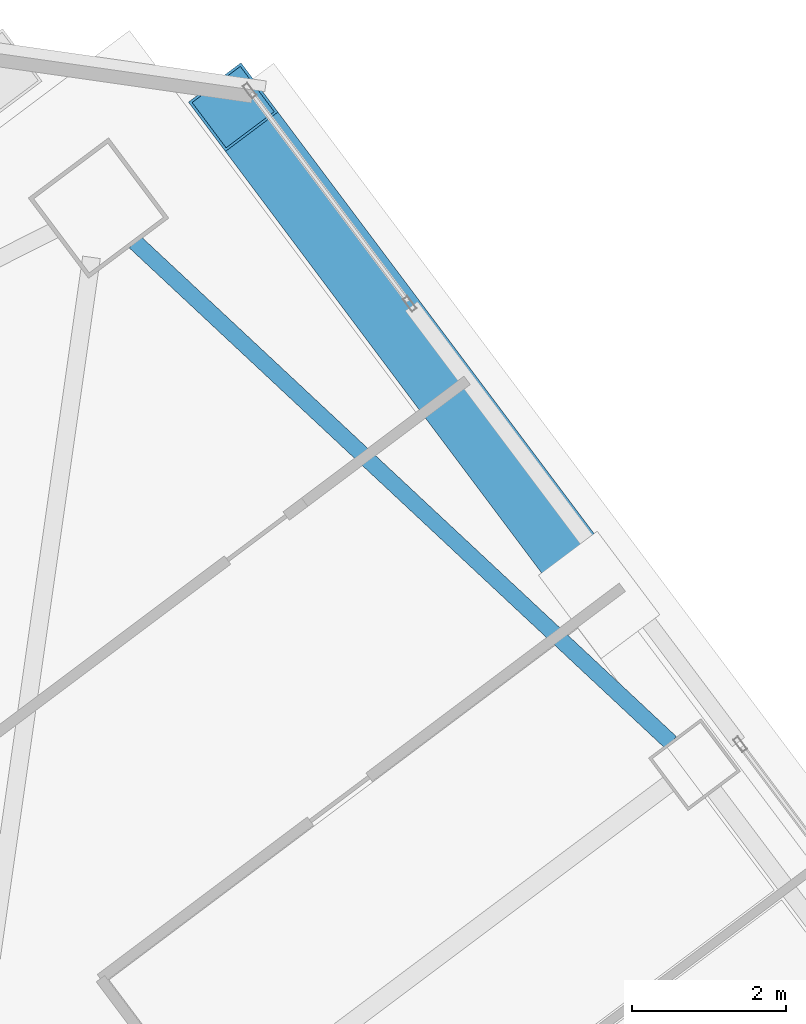
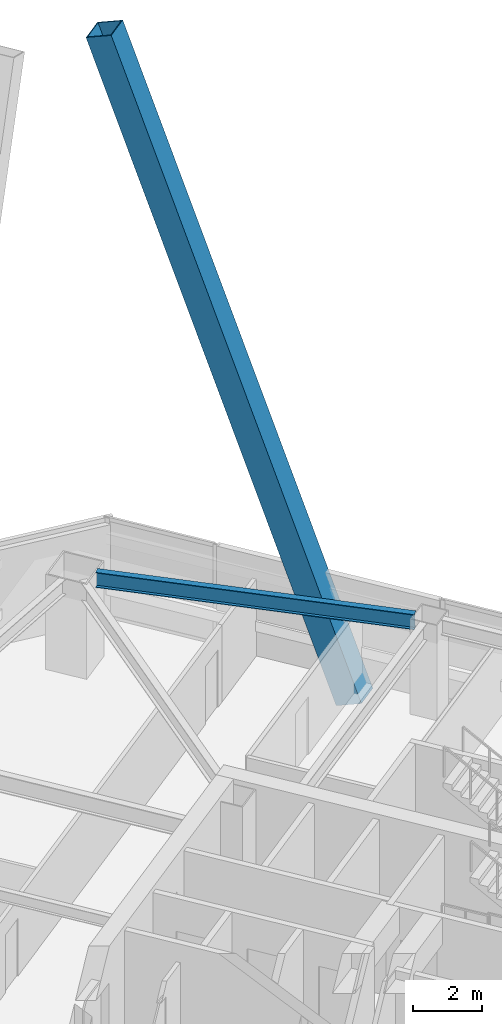
# One storey, part 41 of 54: 1 beam, 1 member.
"""IFC4 building model written with IfcOpenShell, lengths in metres."""

from ifc_helpers import new_model, si_unit, direction, frame, origin, origin_2d, place, context, subcontext, project, spatial, hollow_rectangle, i_section, extrude, material, material_profile, profile_set, type_object, element, save


model = new_model("IFC4")

# Units and contexts
model_context = context("Model", 3, precision=1e-05, world=origin(), true_north=direction((0.0, 1.0)))
body_context = subcontext(model_context, "Body", "Model", "MODEL_VIEW")
ifc_project = project(units=[si_unit("LENGTHUNIT", "METRE"), si_unit("AREAUNIT", "SQUARE_METRE"), si_unit("VOLUMEUNIT", "CUBIC_METRE"), si_unit("PLANEANGLEUNIT", "RADIAN"), si_unit("MASSUNIT", "GRAM", prefix="KILO")], contexts=[model_context])

# Site, building, storey
site_placement = place(None, origin())
site = spatial("IfcSite", under=ifc_project, at=site_placement, CompositionType="ELEMENT")
building_placement = place(site_placement, origin())
building = spatial("IfcBuilding", under=site, at=building_placement, Name="Tashvorn Skyway Center", CompositionType="ELEMENT")
storey_placement = place(building_placement, frame((0.0, 0.0, 135.699951171875)))
storey = spatial("IfcBuildingStorey", under=building, at=storey_placement, Name="L36", CompositionType="ELEMENT", Elevation=135.699951171875)

# Beam
ifc_material_1 = material(Name="Steel ASTM A992 Grade 50", Category="steel")
ifc_material_profile_1 = material_profile(ifc_material_1, i_section(OverallWidth=0.2109375, OverallDepth=0.5390625, WebThickness=0.01171875, FlangeThickness=0.018798828125, at=origin_2d()), Name="W21X73")
ifc_profile_set_1 = profile_set([ifc_material_profile_1], Name="Steel ASTM A992 Grade 50")
beam_type = type_object("IfcBeamType", Name="BM-SPANDREL-W21X73", PredefinedType="SPANDREL", material=ifc_profile_set_1)
beam_placement = place(storey_placement, frame((124.572998046875, 47.19677734375, 3.1005859375), z_axis=(-0.730843250868, 0.682545341102, 0.0), x_axis=(-0.682545341102, -0.730843250868, 0.0)))
element("IfcBeam", 1, at=beam_placement, inside=storey, type_object=beam_type, Name="Tower 2 L36 Spandrel Beam 06", PredefinedType="SPANDREL", context=body_context, shape_type="SweptSolid", body=[
    extrude(i_section(OverallWidth=0.2109375, OverallDepth=0.5390625, WebThickness=0.01171875, FlangeThickness=0.018798828125, at=origin_2d()), origin(), (0.0, 0.0, 1.0), 9.498046875),
])

# Member
ifc_material_2 = material(Name="Steel ASTM A572 Grade 50", Category="steel")
ifc_material_profile_2 = material_profile(ifc_material_2, hollow_rectangle(XDim=0.85009765625, YDim=0.85009765625, WallThickness=0.034912109375, at=origin_2d()), Name="BOX850x850x35")
ifc_profile_set_2 = profile_set([ifc_material_profile_2], Name="Steel ASTM A572 Grade 50")
member_type = type_object("IfcMemberType", Name="MEM-MB-850", PredefinedType="BRACE", material=ifc_profile_set_2)
member_placement = place(storey_placement, frame((123.64404296875, 49.10791015625, -0.449951171875), z_axis=(-0.206767363973, 0.27569336859, 0.938744067204), x_axis=(-0.800003708427, -0.599995055399, 0.0)))
element("IfcMember", 2, at=member_placement, inside=storey, type_object=member_type, Name="Tower 2 Zone 3 E Chevron Mega-Brace R2", PredefinedType="BRACE", context=body_context, shape_type="SweptSolid", body=[
    extrude(hollow_rectangle(XDim=0.85009765625, YDim=0.85009765625, WallThickness=0.034912109375, at=origin_2d()), origin(), (0.0, 0.0, 1.0), 22.92431640625),
])

save(model, "model.ifc")
